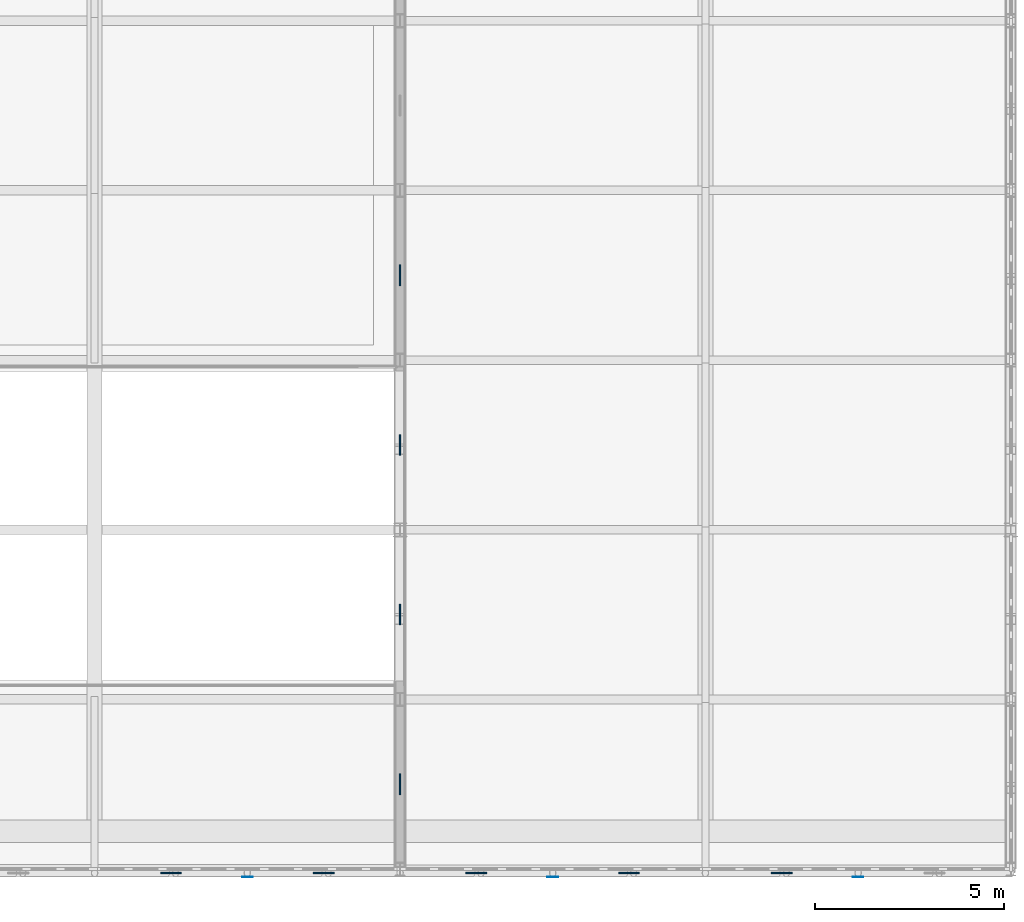
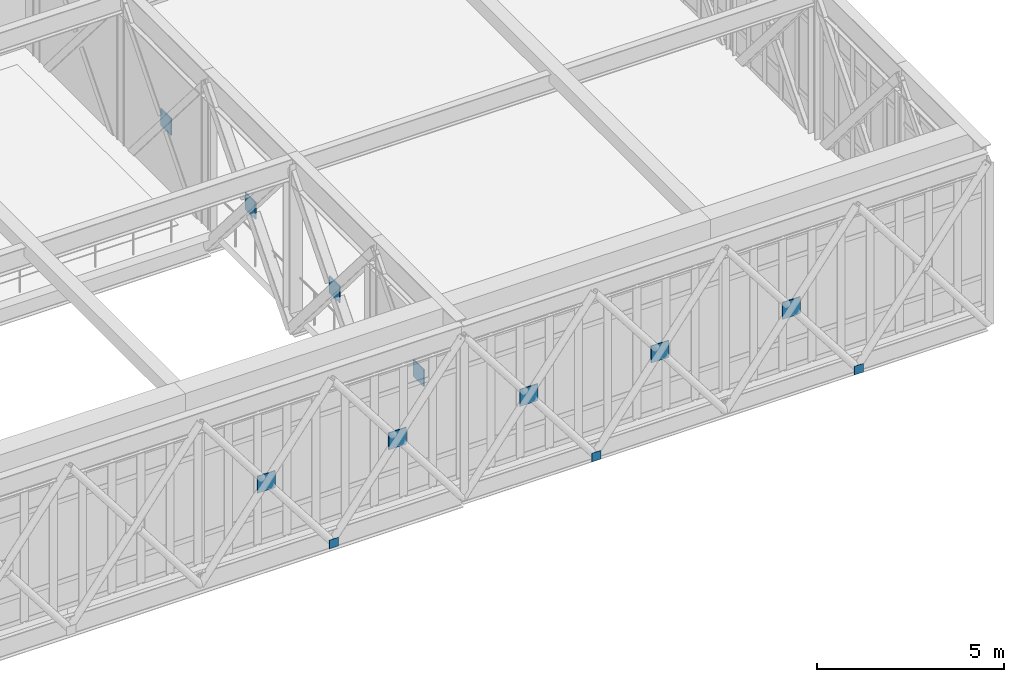
# One storey, part 54 of 70: 12 plates.
"""IFC4 building model written with IfcOpenShell, lengths in metres."""

from ifc_helpers import new_model, si_unit, direction, frame, origin, origin_2d, place, context, subcontext, project, spatial, rectangle, extrude, material, layer, layer_set, type_object, element, save


model = new_model("IFC4")

# Units and contexts
model_context = context("Model", 3, precision=1e-05, world=origin(), true_north=direction((0.0, 1.0)))
body_context = subcontext(model_context, "Body", "Model", "MODEL_VIEW")
ifc_project = project(units=[si_unit("LENGTHUNIT", "METRE"), si_unit("AREAUNIT", "SQUARE_METRE"), si_unit("VOLUMEUNIT", "CUBIC_METRE"), si_unit("PLANEANGLEUNIT", "RADIAN"), si_unit("MASSUNIT", "GRAM", prefix="KILO")], contexts=[model_context])

# Site, building, storey
site_placement = place(None, origin())
site = spatial("IfcSite", under=ifc_project, at=site_placement, CompositionType="ELEMENT")
building_placement = place(site_placement, origin())
building = spatial("IfcBuilding", under=site, at=building_placement, Name="Tarnveldt Square Police Headquarters", CompositionType="ELEMENT")
storey_placement = place(building_placement, frame((0.0, 0.0, 19.800048828125)))
storey = spatial("IfcBuildingStorey", under=building, at=storey_placement, Name="L04", CompositionType="ELEMENT", Elevation=19.800048828125)

# Plates
ifc_material = material(Name="Steel 350W", Category="steel")
ifc_layer_1 = layer(ifc_material, 0.011962890625)
ifc_layer_set_1 = layer_set([ifc_layer_1], Name="Steel 350W")
plate_type_1 = type_object("IfcPlateType", Name="PLT-CAP-12", PredefinedType="USERDEFINED", material=ifc_layer_set_1)
for number, where, z_axis, x_axis, name in (
    (1, (44.550048828125, 6.794921875, -0.783203125), (0.0, 0.0, 1.0), (1.0, 0.0, 0.0), "Node KN-LT1 HSS End Cap Plate S-L04-5"),
    (2, (52.64990234375, 6.794921875, -0.783203125), (0.0, 0.0, 1.0), (1.0, 0.0, 0.0), "Node KN-LT1 HSS End Cap Plate S-L04-6"),
    (3, (60.75, 6.794921875, -0.783203125), (0.0, 0.0, 1.0), (1.0, 0.0, 0.0), "Node KN-LT1 HSS End Cap Plate S-L04-7"),
):
    element("IfcPlate", number, at=place(storey_placement, frame(where, z_axis=z_axis, x_axis=x_axis)), inside=storey, type_object=plate_type_1, Name=name, ObjectType="END CAP PLATE", PredefinedType="USERDEFINED", context=body_context, shape_type="SweptSolid", body=[
        extrude(rectangle(XDim=0.280029296875, YDim=0.011962890625, at=origin_2d()), origin(), (0.0, 0.0, 1.0), 0.280029296875),
    ])
ifc_layer_2 = layer(ifc_material, 0.031982421875)
ifc_layer_set_2 = layer_set([ifc_layer_2], Name="Steel 350W")
plate_type_2 = type_object("IfcPlateType", Name="PLT-GUS-32", PredefinedType="SHEET", material=ifc_layer_set_2)
for number, where, z_axis, x_axis, name in (
    (4, (42.52490234375, 6.89990234375, 1.7236328125), (0.0, 0.0, 1.0), (1.0, 0.0, 0.0), "Command Lantern S Lattice Crossing Gusset Plate 5.1"),
    (5, (46.574951171875, 6.89990234375, 1.7236328125), (0.0, 0.0, 1.0), (1.0, 0.0, 0.0), "Command Lantern S Lattice Crossing Gusset Plate 5.2"),
    (6, (50.625, 6.89990234375, 1.7236328125), (0.0, 0.0, 1.0), (1.0, 0.0, 0.0), "Command Lantern S Lattice Crossing Gusset Plate 6.1"),
    (7, (54.675048828125, 6.89990234375, 1.7236328125), (0.0, 0.0, 1.0), (1.0, 0.0, 0.0), "Command Lantern S Lattice Crossing Gusset Plate 6.2"),
    (8, (58.72509765625, 6.89990234375, 1.7236328125), (0.0, 0.0, 1.0), (1.0, 0.0, 0.0), "Command Lantern S Lattice Crossing Gusset Plate 7.1"),
):
    element("IfcPlate", number, at=place(storey_placement, frame(where, z_axis=z_axis, x_axis=x_axis)), inside=storey, type_object=plate_type_2, Name=name, PredefinedType="SHEET", context=body_context, shape_type="SweptSolid", body=[
        extrude(rectangle(XDim=0.550048828125, YDim=0.031982421875, at=origin_2d()), origin(), (0.0, 0.0, 1.0), 0.550048828125),
    ])
ifc_layer_3 = layer(ifc_material, 0.0419921875)
ifc_layer_set_3 = layer_set([ifc_layer_3], Name="Steel 350W")
plate_type_3 = type_object("IfcPlateType", Name="PLT-GUS-42", PredefinedType="SHEET", material=ifc_layer_set_3)
for number, where, z_axis, x_axis, name in (
    (9, (48.60009765625, 22.75, 1.7236328125), (0.0, 0.0, 1.0), (1.0, 0.0, 0.0), "Cantilever Truss CT-3 L04 Centre Gusset Plate 3"),
    (10, (48.60009765625, 18.25, 1.7236328125), (0.0, 0.0, 1.0), (1.0, 0.0, 0.0), "Cantilever Truss CT-3 L04 Centre Gusset Plate 4"),
    (11, (48.60009765625, 13.75, 1.7236328125), (0.0, 0.0, 1.0), (1.0, 0.0, 0.0), "Cantilever Truss CT-3 L04 Centre Gusset Plate 5"),
    (12, (48.60009765625, 9.25, 1.7236328125), (0.0, 0.0, 1.0), (1.0, 0.0, 0.0), "Cantilever Truss CT-3 L04 Centre Gusset Plate 6"),
):
    element("IfcPlate", number, at=place(storey_placement, frame(where, z_axis=z_axis, x_axis=x_axis)), inside=storey, type_object=plate_type_3, Name=name, PredefinedType="SHEET", context=body_context, shape_type="SweptSolid", body=[
        extrude(rectangle(XDim=0.0419921875, YDim=0.550048828125, at=origin_2d()), origin(), (0.0, 0.0, 1.0), 0.550048828125),
    ])

save(model, "model.ifc")
